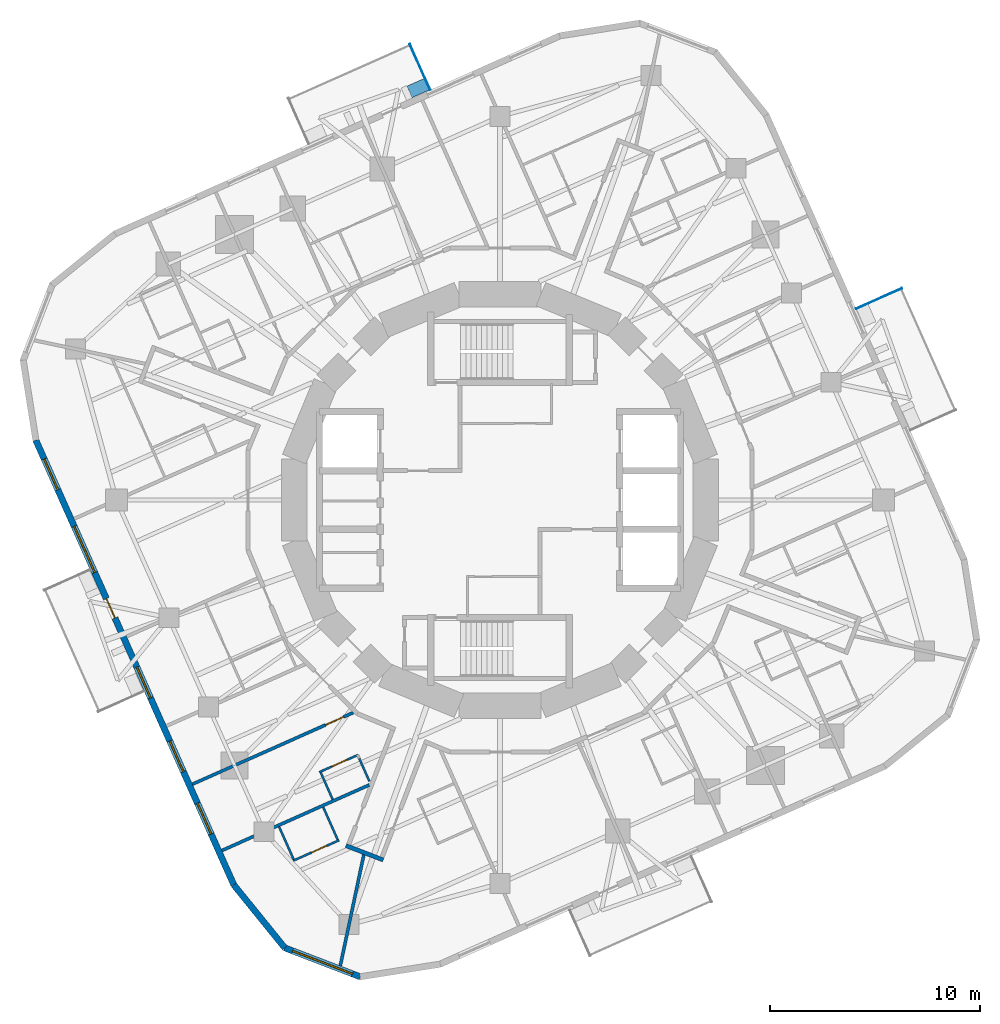
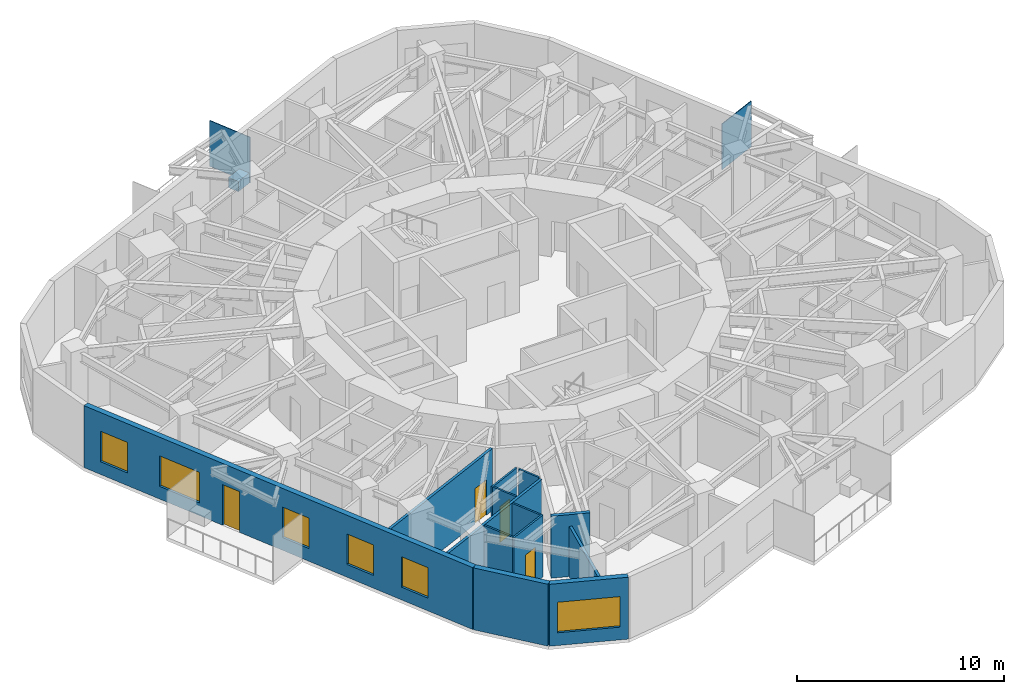
# One storey, part 4 of 12: 13 walls, 6 windows, 4 doors, 3 plates, 10 openings.
"""IFC4 building model written with IfcOpenShell, lengths in metres."""

from ifc_helpers import new_model, si_unit, direction, frame, frame_2d, origin, origin_2d, place, context, subcontext, project, spatial, rectangle, extrude, material, layer, layer_set, type_object, element, fill, save


model = new_model("IFC4")

# Units and contexts
model_context = context("Model", 3, precision=1e-05, world=origin(), true_north=direction((0.0, 1.0)))
body_context = subcontext(model_context, "Body", "Model", "MODEL_VIEW")
ifc_project = project(units=[si_unit("LENGTHUNIT", "METRE"), si_unit("AREAUNIT", "SQUARE_METRE"), si_unit("VOLUMEUNIT", "CUBIC_METRE"), si_unit("PLANEANGLEUNIT", "RADIAN"), si_unit("MASSUNIT", "GRAM", prefix="KILO")], contexts=[model_context])

# Site, building, storey
site_placement = place(None, origin())
site = spatial("IfcSite", under=ifc_project, at=site_placement, CompositionType="ELEMENT")
building_placement = place(site_placement, origin())
building = spatial("IfcBuilding", under=site, at=building_placement, Name="Nakasero Lantern House", CompositionType="ELEMENT")
storey_placement = place(building_placement, frame((0.0, 0.0, 194.0)))
storey = spatial("IfcBuildingStorey", under=building, at=storey_placement, Name="L47", CompositionType="ELEMENT", Elevation=194.0)

# Plates
ifc_material_1 = material(Name="Aluminium 6063-T6", Category="aluminium")
ifc_layer_1 = layer(ifc_material_1, 0.60009765625)
ifc_layer_set_1 = layer_set([ifc_layer_1], Name="Balcony planter 600x900")
plate_type_1 = type_object("IfcPlateType", Name="Balcony planter 600x900", PredefinedType="USERDEFINED", material=ifc_layer_set_1)
plate_placement = place(storey_placement, frame((-3.90283203125, 19.629638671875, 0.0), z_axis=(0.0, 0.0, 1.0), x_axis=(-0.406736643076, 0.913545457643, 0.0)))
element("IfcPlate", 1, at=plate_placement, inside=storey, type_object=plate_type_1, Name="Balcony PLANTER L47 BAL1A", ObjectType="PLANTER", PredefinedType="USERDEFINED", context=body_context, shape_type="SweptSolid", body=[
    extrude(rectangle(XDim=0.60009765625, YDim=0.89990234375, at=origin_2d()), origin(), (0.0, 0.0, 1.0), 0.60009765625),
])
ifc_material_2 = material(Name="Aluminium 6063-T6", Category="aluminium")
ifc_layer_2 = layer(ifc_material_2, 0.0400390625)
ifc_layer_set_2 = layer_set([ifc_layer_2], Name="Balcony screen 2400x2700")
plate_type_2 = type_object("IfcPlateType", Name="Balcony screen 2400x2700", PredefinedType="SHEET", material=ifc_layer_set_2)
for number, where, z_axis, x_axis, name in (
    (2, (18.0576171875, 9.59716796875, 0.0), (0.0, 0.0, 1.0), (0.913545457643, 0.406736643076, 0.0), "Balcony SCREEN L47 BAL0B"),
    (3, (-3.813232421875, 20.6328125, 0.0), (0.0, 0.0, 1.0), (-0.406736643076, 0.913545457643, 0.0), "Balcony SCREEN L47 BAL1A"),
):
    element("IfcPlate", number, at=place(storey_placement, frame(where, z_axis=z_axis, x_axis=x_axis)), inside=storey, type_object=plate_type_2, Name=name, PredefinedType="SHEET", context=body_context, shape_type="SweptSolid", body=[
        extrude(rectangle(XDim=2.39990234375, YDim=0.0400390625, at=origin_2d()), origin(), (0.0, 0.0, 1.0), 2.699951171875),
    ])

# Wall
ifc_material_3 = material(Name="Blockwork", Category="masonry")
ifc_layer_3 = layer(ifc_material_3, 0.199951171875)
ifc_layer_set_3 = layer_set([ifc_layer_3], Name="Corridor wall 200")
wall_type_1 = type_object("IfcWallType", Name="Corridor wall 200", PredefinedType="PARTITIONING", material=ifc_layer_set_3)
wall_1_placement = place(storey_placement, frame((-7.34033203125, -16.47119140625, 0.0), z_axis=(0.0, 0.0, 1.0), x_axis=(0.933587135733, -0.3583504709, 0.0)))
element("IfcWall", 4, at=wall_1_placement, inside=storey, type_object=wall_type_1, Name="Corridor wall L47 SP2e", PredefinedType="PARTITIONING", context=body_context, shape_type="SweptSolid", body=[
    extrude(rectangle(XDim=1.900146484375, YDim=0.199951171875, at=frame_2d((0.9501953125, 0.0))), origin(), (0.0, 0.0, 1.0), 3.64990234375),
])

# Wall, opening, door
ifc_material_4 = material(Name="Blockwork", Category="masonry")
ifc_layer_4 = layer(ifc_material_4, 0.10009765625)
ifc_layer_set_4 = layer_set([ifc_layer_4], Name="En-suite wall 100")
wall_type_2 = type_object("IfcWallType", Name="En-suite wall 100", PredefinedType="PARTITIONING", material=ifc_layer_set_4)
wall_2_placement = place(storey_placement, frame((-6.78125, -12.153564453125, 0.0), z_axis=(0.0, 0.0, 1.0), x_axis=(-0.913529410294, -0.406772684097, 0.0)))
wall_2 = element("IfcWall", 5, at=wall_2_placement, inside=storey, type_object=wall_type_2, Name="En-suite wall L47 ES2-05", PredefinedType="PARTITIONING", context=body_context, shape_type="SweptSolid", body=[
    extrude(rectangle(XDim=1.999755859375, YDim=0.10009765625, at=frame_2d((1.0, 0.0))), origin(), (0.0, 0.0, 1.0), 3.64990234375),
])
opening_1_placement = place(wall_2_placement, frame((0.550048828125, 0.0, 0.0)))
opening_1 = element("IfcOpeningElement", 6, at=opening_1_placement, cuts=wall_2, Name="Opening D02", PredefinedType="OPENING", context=body_context, shape_type="SweptSolid", body=[
    extrude(rectangle(XDim=0.800048828125, YDim=2.10009765625, at=frame_2d((0.39990234375, 1.050048828125))), frame((0.0, 0.070068359375, 0.0), z_axis=(0.0, -1.0, 0.0), x_axis=(1.0, 0.0, 0.0)), (0.0, 0.0, 1.0), 0.14013671875),
])
ifc_material_5 = material(Name="Timber C24", Category="wood")
door_type_1 = type_object("IfcDoorType", Name="En-suite door 800", OperationType="SINGLE_SWING_RIGHT", PredefinedType="DOOR", material=ifc_material_5)
door_1_placement = place(opening_1_placement, origin())
door_1 = element("IfcDoor", 7, at=door_1_placement, inside=storey, type_object=door_type_1, Name="Door L47 DE2-05", OperationType="SINGLE_SWING_LEFT", OverallHeight=2.10009765625, OverallWidth=0.800048828125, PredefinedType="DOOR", context=body_context, shape_type="SweptSolid", body=[
    extrude(rectangle(XDim=0.800048828125, YDim=2.10009765625, at=frame_2d((0.39990234375, 1.050048828125))), frame((0.0, 0.02490234375, 0.0), z_axis=(0.0, -1.0, 0.0), x_axis=(1.0, 0.0, 0.0)), (0.0, 0.0, 1.0), 0.050048828125),
])
fill(opening_1, door_1)

# Wall
wall_3_placement = place(storey_placement, frame((-8.542236328125, -12.992431640625, 0.0), z_axis=(0.0, 0.0, 1.0), x_axis=(0.406866486472, -0.913487636581, 0.0)))
element("IfcWall", 8, at=wall_3_placement, inside=storey, type_object=wall_type_2, Name="En-suite wall L47 EE2-05", PredefinedType="PARTITIONING", context=body_context, shape_type="SweptSolid", body=[
    extrude(rectangle(XDim=1.39990234375, YDim=0.10009765625, at=frame_2d((0.699951171875, 0.0))), origin(), (0.0, 0.0, 1.0), 3.64990234375),
])

# Wall, opening, door
wall_4_placement = place(storey_placement, frame((-7.66748046875, -16.215087890625, 0.0), z_axis=(0.0, 0.0, 1.0), x_axis=(-0.913530294257, -0.40677069889, 0.0)))
wall_4 = element("IfcWall", 9, at=wall_4_placement, inside=storey, type_object=wall_type_2, Name="En-suite wall L47 ES2-06", PredefinedType="PARTITIONING", context=body_context, shape_type="SweptSolid", body=[
    extrude(rectangle(XDim=2.400146484375, YDim=0.10009765625, at=frame_2d((1.2001953125, 0.0))), origin(), (0.0, 0.0, 1.0), 3.64990234375),
])
opening_2_placement = place(wall_4_placement, frame((0.64990234375, 0.0, 0.0)))
opening_2 = element("IfcOpeningElement", 10, at=opening_2_placement, cuts=wall_4, Name="Opening D02", PredefinedType="OPENING", context=body_context, shape_type="SweptSolid", body=[
    extrude(rectangle(XDim=0.800048828125, YDim=2.10009765625, at=frame_2d((0.39990234375, 1.050048828125))), frame((0.0, 0.070068359375, 0.0), z_axis=(0.0, -1.0, 0.0), x_axis=(1.0, 0.0, 0.0)), (0.0, 0.0, 1.0), 0.14013671875),
])
door_2_placement = place(opening_2_placement, origin())
door_2 = element("IfcDoor", 11, at=door_2_placement, inside=storey, type_object=door_type_1, Name="Door L47 DE2-06", OperationType="SINGLE_SWING_LEFT", OverallHeight=2.10009765625, OverallWidth=0.800048828125, PredefinedType="DOOR", context=body_context, shape_type="SweptSolid", body=[
    extrude(rectangle(XDim=0.800048828125, YDim=2.10009765625, at=frame_2d((0.39990234375, 1.050048828125))), frame((0.0, 0.02490234375, 0.0), z_axis=(0.0, -1.0, 0.0), x_axis=(1.0, 0.0, 0.0)), (0.0, 0.0, 1.0), 0.050048828125),
])
fill(opening_2, door_2)

# Walls
wall_5_placement = place(storey_placement, frame((-10.526123046875, -15.572265625, 0.0), z_axis=(0.0, 0.0, 1.0), x_axis=(0.406724697108, -0.913550776237, 0.0)))
element("IfcWall", 12, at=wall_5_placement, inside=storey, type_object=wall_type_2, Name="En-suite wall L47 EE2-06", PredefinedType="PARTITIONING", context=body_context, shape_type="SweptSolid", body=[
    extrude(rectangle(XDim=1.699951171875, YDim=0.10009765625, at=frame_2d((0.85009765625, 0.0))), origin(), (0.0, 0.0, 1.0), 3.64990234375),
])
wall_6_placement = place(storey_placement, frame((-8.425048828125, -14.63671875, 0.0), z_axis=(0.0, 0.0, 1.0), x_axis=(0.406671340378, -0.91357452948, 0.0)))
element("IfcWall", 13, at=wall_6_placement, inside=storey, type_object=wall_type_2, Name="En-suite wall L47 EI2-06", PredefinedType="PARTITIONING", context=body_context, shape_type="SweptSolid", body=[
    extrude(rectangle(XDim=1.7001953125, YDim=0.10009765625, at=frame_2d((0.85009765625, 0.0))), origin(), (0.0, 0.0, 1.0), 3.64990234375),
])
wall_7_placement = place(storey_placement, frame((-6.225830078125, -13.400634765625, 0.0), z_axis=(0.0, 0.0, 1.0), x_axis=(-0.406739792336, 0.913544055495, 0.0)))
element("IfcWall", 14, at=wall_7_placement, inside=storey, type_object=wall_type_2, Name="En-suite wall L47 EX002", PredefinedType="PARTITIONING", context=body_context, shape_type="SweptSolid", body=[
    extrude(rectangle(XDim=1.205322265625, YDim=0.10009765625, at=frame_2d((0.6025390625, 0.0))), origin(), (0.0, 0.0, 1.0), 3.64990234375),
])

# Wall, openings, door, windows
ifc_material_6 = material(Name="Aluminium rainscreen on blockwork", Category="masonry")
ifc_layer_5 = layer(ifc_material_6, 0.300048828125)
ifc_layer_set_5 = layer_set([ifc_layer_5], Name="Facade wall 300")
wall_type_3 = type_object("IfcWallType", Name="Facade wall 300", PredefinedType="SOLIDWALL", material=ifc_layer_set_5)
wall_8_placement = place(storey_placement, frame((-22.12109375, 2.848876953125, 0.0), z_axis=(0.0, 0.0, 1.0), x_axis=(0.406734951338, -0.913546210851, 0.0)))
wall_8 = element("IfcWall", 15, at=wall_8_placement, inside=storey, type_object=wall_type_3, Name="Facade wall L47 FW2S", PredefinedType="SOLIDWALL", context=body_context, shape_type="SweptSolid", body=[
    extrude(rectangle(XDim=23.199951171875, YDim=0.300048828125, at=frame_2d((11.60009765625, 0.0))), origin(), (0.0, 0.0, 1.0), 3.64990234375),
])
opening_3_placement = place(wall_8_placement, frame((0.982421875, 0.0, 0.75)))
opening_3 = element("IfcOpeningElement", 16, at=opening_3_placement, cuts=wall_8, Name="Opening W01", PredefinedType="OPENING", context=body_context, shape_type="SweptSolid", body=[
    extrude(rectangle(XDim=1.60009765625, YDim=1.800048828125, at=frame_2d((0.800048828125, 0.89990234375))), frame((0.0, 0.169921875, 0.0), z_axis=(0.0, -1.0, 0.0), x_axis=(1.0, 0.0, 0.0)), (0.0, 0.0, 1.0), 0.340087890625),
])
opening_4_placement = place(wall_8_placement, frame((11.83984375, 0.0, 0.75)))
opening_4 = element("IfcOpeningElement", 17, at=opening_4_placement, cuts=wall_8, Name="Opening W01", PredefinedType="OPENING", context=body_context, shape_type="SweptSolid", body=[
    extrude(rectangle(XDim=1.60009765625, YDim=1.800048828125, at=frame_2d((0.800048828125, 0.89990234375))), frame((0.0, 0.169921875, 0.0), z_axis=(0.0, -1.0, 0.0), x_axis=(1.0, 0.0, 0.0)), (0.0, 0.0, 1.0), 0.340087890625),
])
opening_5_placement = place(wall_8_placement, frame((15.69140625, 0.0, 0.75)))
opening_5 = element("IfcOpeningElement", 18, at=opening_5_placement, cuts=wall_8, Name="Opening W01", PredefinedType="OPENING", context=body_context, shape_type="SweptSolid", body=[
    extrude(rectangle(XDim=1.60009765625, YDim=1.800048828125, at=frame_2d((0.800048828125, 0.89990234375))), frame((0.0, 0.169921875, 0.0), z_axis=(0.0, -1.0, 0.0), x_axis=(1.0, 0.0, 0.0)), (0.0, 0.0, 1.0), 0.340087890625),
])
opening_6_placement = place(wall_8_placement, frame((18.940185546875, 0.0, 0.75)))
opening_6 = element("IfcOpeningElement", 19, at=opening_6_placement, cuts=wall_8, Name="Opening W01", PredefinedType="OPENING", context=body_context, shape_type="SweptSolid", body=[
    extrude(rectangle(XDim=1.60009765625, YDim=1.800048828125, at=frame_2d((0.800048828125, 0.89990234375))), frame((0.0, 0.169921875, 0.0), z_axis=(0.0, -1.0, 0.0), x_axis=(1.0, 0.0, 0.0)), (0.0, 0.0, 1.0), 0.340087890625),
])
opening_7_placement = place(wall_8_placement, frame((4.500244140625, 0.0, 0.75)))
opening_7 = element("IfcOpeningElement", 20, at=opening_7_placement, cuts=wall_8, Name="Opening W03", PredefinedType="OPENING", context=body_context, shape_type="SweptSolid", body=[
    extrude(rectangle(XDim=2.39990234375, YDim=1.800048828125, at=frame_2d((1.199951171875, 0.89990234375))), frame((0.0, 0.169921875, 0.0), z_axis=(0.0, -1.0, 0.0), x_axis=(1.0, 0.0, 0.0)), (0.0, 0.0, 1.0), 0.340087890625),
])
opening_8_placement = place(wall_8_placement, frame((8.271484375, 0.0, 0.0)))
opening_8 = element("IfcOpeningElement", 21, at=opening_8_placement, cuts=wall_8, Name="Opening D04", PredefinedType="OPENING", context=body_context, shape_type="SweptSolid", body=[
    extrude(rectangle(XDim=1.0, YDim=2.39990234375, at=frame_2d((0.5, 1.199951171875))), frame((0.0, 0.169921875, 0.0), z_axis=(0.0, -1.0, 0.0), x_axis=(1.0, 0.0, 0.0)), (0.0, 0.0, 1.0), 0.340087890625),
])
ifc_material_7 = material(Name="Aluminium 6063-T6 and glass", Category="aluminium")
door_type_2 = type_object("IfcDoorType", Name="Balcony door 1000x2400", OperationType="SINGLE_SWING_RIGHT", PredefinedType="DOOR", material=ifc_material_7)
door_3_placement = place(opening_8_placement, origin())
door_3 = element("IfcDoor", 22, at=door_3_placement, inside=storey, type_object=door_type_2, Name="Balcony door L47 DB2", OperationType="SINGLE_SWING_RIGHT", OverallHeight=2.39990234375, OverallWidth=1.0, PredefinedType="DOOR", context=body_context, shape_type="SweptSolid", body=[
    extrude(rectangle(XDim=1.0, YDim=2.39990234375, at=frame_2d((0.5, 1.199951171875))), frame((0.0, 0.02490234375, 0.0), z_axis=(0.0, -1.0, 0.0), x_axis=(1.0, 0.0, 0.0)), (0.0, 0.0, 1.0), 0.050048828125),
])
fill(opening_8, door_3)
ifc_material_8 = material(Name="Aluminium 6063-T6 and glass", Category="aluminium")
window_type_1 = type_object("IfcWindowType", Name="Bedroom window 1600x1800", PartitioningType="SINGLE_PANEL", PredefinedType="WINDOW", material=ifc_material_8)
window_1_placement = place(opening_3_placement, origin())
window_1 = element("IfcWindow", 23, at=window_1_placement, inside=storey, type_object=window_type_1, Name="Window L47 WN2-00", OverallHeight=1.800048828125, OverallWidth=1.60009765625, PartitioningType="SINGLE_PANEL", PredefinedType="WINDOW", context=body_context, shape_type="SweptSolid", body=[
    extrude(rectangle(XDim=1.60009765625, YDim=1.800048828125, at=frame_2d((0.800048828125, 0.89990234375))), frame((0.0, 0.030029296875, 0.0), z_axis=(0.0, -1.0, 0.0), x_axis=(1.0, 0.0, 0.0)), (0.0, 0.0, 1.0), 0.06005859375),
])
fill(opening_3, window_1)
window_2_placement = place(opening_4_placement, origin())
window_2 = element("IfcWindow", 24, at=window_2_placement, inside=storey, type_object=window_type_1, Name="Window L47 WN2-03", OverallHeight=1.800048828125, OverallWidth=1.60009765625, PartitioningType="SINGLE_PANEL", PredefinedType="WINDOW", context=body_context, shape_type="SweptSolid", body=[
    extrude(rectangle(XDim=1.60009765625, YDim=1.800048828125, at=frame_2d((0.800048828125, 0.89990234375))), frame((0.0, 0.030029296875, 0.0), z_axis=(0.0, -1.0, 0.0), x_axis=(1.0, 0.0, 0.0)), (0.0, 0.0, 1.0), 0.06005859375),
])
fill(opening_4, window_2)
window_3_placement = place(opening_5_placement, origin())
window_3 = element("IfcWindow", 25, at=window_3_placement, inside=storey, type_object=window_type_1, Name="Window L47 WN2-04", OverallHeight=1.800048828125, OverallWidth=1.60009765625, PartitioningType="SINGLE_PANEL", PredefinedType="WINDOW", context=body_context, shape_type="SweptSolid", body=[
    extrude(rectangle(XDim=1.60009765625, YDim=1.800048828125, at=frame_2d((0.800048828125, 0.89990234375))), frame((0.0, 0.030029296875, 0.0), z_axis=(0.0, -1.0, 0.0), x_axis=(1.0, 0.0, 0.0)), (0.0, 0.0, 1.0), 0.06005859375),
])
fill(opening_5, window_3)
window_4_placement = place(opening_6_placement, origin())
window_4 = element("IfcWindow", 26, at=window_4_placement, inside=storey, type_object=window_type_1, Name="Window L47 WN2-05", OverallHeight=1.800048828125, OverallWidth=1.60009765625, PartitioningType="SINGLE_PANEL", PredefinedType="WINDOW", context=body_context, shape_type="SweptSolid", body=[
    extrude(rectangle(XDim=1.60009765625, YDim=1.800048828125, at=frame_2d((0.800048828125, 0.89990234375))), frame((0.0, 0.030029296875, 0.0), z_axis=(0.0, -1.0, 0.0), x_axis=(1.0, 0.0, 0.0)), (0.0, 0.0, 1.0), 0.06005859375),
])
fill(opening_6, window_4)
ifc_material_9 = material(Name="Aluminium 6063-T6 and glass", Category="aluminium")
window_type_2 = type_object("IfcWindowType", Name="Lounge window 2400x1800", PartitioningType="SINGLE_PANEL", PredefinedType="WINDOW", material=ifc_material_9)
window_5_placement = place(opening_7_placement, origin())
window_5 = element("IfcWindow", 27, at=window_5_placement, inside=storey, type_object=window_type_2, Name="Window L47 WK2", OverallHeight=1.800048828125, OverallWidth=2.39990234375, PartitioningType="SINGLE_PANEL", PredefinedType="WINDOW", context=body_context, shape_type="SweptSolid", body=[
    extrude(rectangle(XDim=2.39990234375, YDim=1.800048828125, at=frame_2d((1.199951171875, 0.89990234375))), frame((0.0, 0.030029296875, 0.0), z_axis=(0.0, -1.0, 0.0), x_axis=(1.0, 0.0, 0.0)), (0.0, 0.0, 1.0), 0.06005859375),
])
fill(opening_7, window_5)

# Wall
wall_9_placement = place(storey_placement, frame((-12.684814453125, -18.345458984375, 0.0), z_axis=(0.0, 0.0, 1.0), x_axis=(0.629285642335, -0.777174099125, 0.0)))
element("IfcWall", 28, at=wall_9_placement, inside=storey, type_object=wall_type_3, Name="Facade wall L47 FW2C1", PredefinedType="SOLIDWALL", context=body_context, shape_type="SweptSolid", body=[
    extrude(rectangle(XDim=3.8564453125, YDim=0.300048828125, at=frame_2d((1.92822265625, 0.0))), origin(), (0.0, 0.0, 1.0), 3.64990234375),
])

# Wall, opening, window
wall_10_placement = place(storey_placement, frame((-10.258056640625, -21.342529296875, 0.0), z_axis=(0.0, 0.0, 1.0), x_axis=(0.933598278948, -0.358321438858, 0.0)))
wall_10 = element("IfcWall", 29, at=wall_10_placement, inside=storey, type_object=wall_type_3, Name="Facade wall L47 FW2C2", PredefinedType="SOLIDWALL", context=body_context, shape_type="SweptSolid", body=[
    extrude(rectangle(XDim=3.8564453125, YDim=0.300048828125, at=frame_2d((1.92822265625, 0.0))), origin(), (0.0, 0.0, 1.0), 3.64990234375),
])
opening_9_placement = place(wall_10_placement, frame((0.39990234375, 0.0, 0.75)))
opening_9 = element("IfcOpeningElement", 30, at=opening_9_placement, cuts=wall_10, Name="Opening W230", PredefinedType="OPENING", context=body_context, shape_type="SweptSolid", body=[
    extrude(rectangle(XDim=3.055908203125, YDim=1.800048828125, at=frame_2d((1.52783203125, 0.89990234375))), frame((0.0, 0.169921875, 0.0), z_axis=(0.0, -1.0, 0.0), x_axis=(1.0, 0.0, 0.0)), (0.0, 0.0, 1.0), 0.340087890625),
])
ifc_material_10 = material(Name="Aluminium 6063-T6 and glass", Category="aluminium")
window_type_3 = type_object("IfcWindowType", Name="Corner window 3056x1800", PartitioningType="SINGLE_PANEL", PredefinedType="WINDOW", material=ifc_material_10)
window_6_placement = place(opening_9_placement, origin())
window_6 = element("IfcWindow", 31, at=window_6_placement, inside=storey, type_object=window_type_3, Name="Window L47 WC2", OverallHeight=1.800048828125, OverallWidth=3.055908203125, PartitioningType="SINGLE_PANEL", PredefinedType="WINDOW", context=body_context, shape_type="SweptSolid", body=[
    extrude(rectangle(XDim=3.055908203125, YDim=1.800048828125, at=frame_2d((1.52783203125, 0.89990234375))), frame((0.0, 0.030029296875, 0.0), z_axis=(0.0, -1.0, 0.0), x_axis=(1.0, 0.0, 0.0)), (0.0, 0.0, 1.0), 0.06005859375),
])
fill(opening_9, window_6)

# Wall, opening, door
ifc_material_11 = material(Name="Blockwork", Category="masonry")
ifc_layer_6 = layer(ifc_material_11, 0.14990234375)
ifc_layer_set_6 = layer_set([ifc_layer_6], Name="Party wall 150")
wall_type_4 = type_object("IfcWallType", Name="Party wall 150", PredefinedType="PARTITIONING", material=ifc_layer_set_6)
wall_11_placement = place(storey_placement, frame((-6.99267578125, -10.130615234375, 0.0), z_axis=(0.0, 0.0, 1.0), x_axis=(-0.913547411288, -0.406732255089, 0.0)))
wall_11 = element("IfcWall", 32, at=wall_11_placement, inside=storey, type_object=wall_type_4, Name="Party wall L47 PW2-05", PredefinedType="PARTITIONING", context=body_context, shape_type="SweptSolid", body=[
    extrude(rectangle(XDim=8.3916015625, YDim=0.14990234375, at=frame_2d((4.19580078125, 0.0))), origin(), (0.0, 0.0, 1.0), 3.64990234375),
])
opening_10_placement = place(wall_11_placement, frame((0.5, 0.0, 0.0)))
opening_10 = element("IfcOpeningElement", 33, at=opening_10_placement, cuts=wall_11, Name="Opening D01", PredefinedType="OPENING", context=body_context, shape_type="SweptSolid", body=[
    extrude(rectangle(XDim=0.949951171875, YDim=2.10009765625, at=frame_2d((0.47509765625, 1.050048828125))), frame((0.0, 0.094970703125, 0.0), z_axis=(0.0, -1.0, 0.0), x_axis=(1.0, 0.0, 0.0)), (0.0, 0.0, 1.0), 0.18994140625),
])
ifc_material_12 = material(Name="Timber C24", Category="wood")
door_type_3 = type_object("IfcDoorType", Name="Bedroom door FD30S 950", OperationType="SINGLE_SWING_LEFT", PredefinedType="DOOR", material=ifc_material_12)
door_4_placement = place(opening_10_placement, origin())
door_4 = element("IfcDoor", 34, at=door_4_placement, inside=storey, type_object=door_type_3, Name="Door L47 DS2-05", OperationType="SINGLE_SWING_LEFT", OverallHeight=2.10009765625, OverallWidth=0.949951171875, PredefinedType="DOOR", context=body_context, shape_type="SweptSolid", body=[
    extrude(rectangle(XDim=0.949951171875, YDim=2.10009765625, at=frame_2d((0.47509765625, 1.050048828125))), frame((0.0, 0.02490234375, 0.0), z_axis=(0.0, -1.0, 0.0), x_axis=(1.0, 0.0, 0.0)), (0.0, 0.0, 1.0), 0.050048828125),
])
fill(opening_10, door_4)

# Walls
wall_12_placement = place(storey_placement, frame((-6.2294921875, -13.5771484375, 0.0), z_axis=(0.0, 0.0, 1.0), x_axis=(-0.913546787387, -0.406733656408, 0.0)))
element("IfcWall", 35, at=wall_12_placement, inside=storey, type_object=wall_type_4, Name="Party wall L47 PW2-06", PredefinedType="PARTITIONING", context=body_context, shape_type="SweptSolid", body=[
    extrude(rectangle(XDim=7.686767578125, YDim=0.14990234375, at=frame_2d((3.84326171875, 0.0))), origin(), (0.0, 0.0, 1.0), 3.64990234375),
])
wall_13_placement = place(storey_placement, frame((-6.4892578125, -16.905029296875, 0.0), z_axis=(0.0, 0.0, 1.0), x_axis=(-0.207273681618, -0.97828299633, 0.0)))
element("IfcWall", 36, at=wall_13_placement, inside=storey, type_object=wall_type_4, Name="Party wall L47 PW3-00", PredefinedType="PARTITIONING", context=body_context, shape_type="SweptSolid", body=[
    extrude(rectangle(XDim=5.4052734375, YDim=0.14990234375, at=frame_2d((2.70263671875, 0.0))), origin(), (0.0, 0.0, 1.0), 2.966552734375),
])

save(model, "model.ifc")
